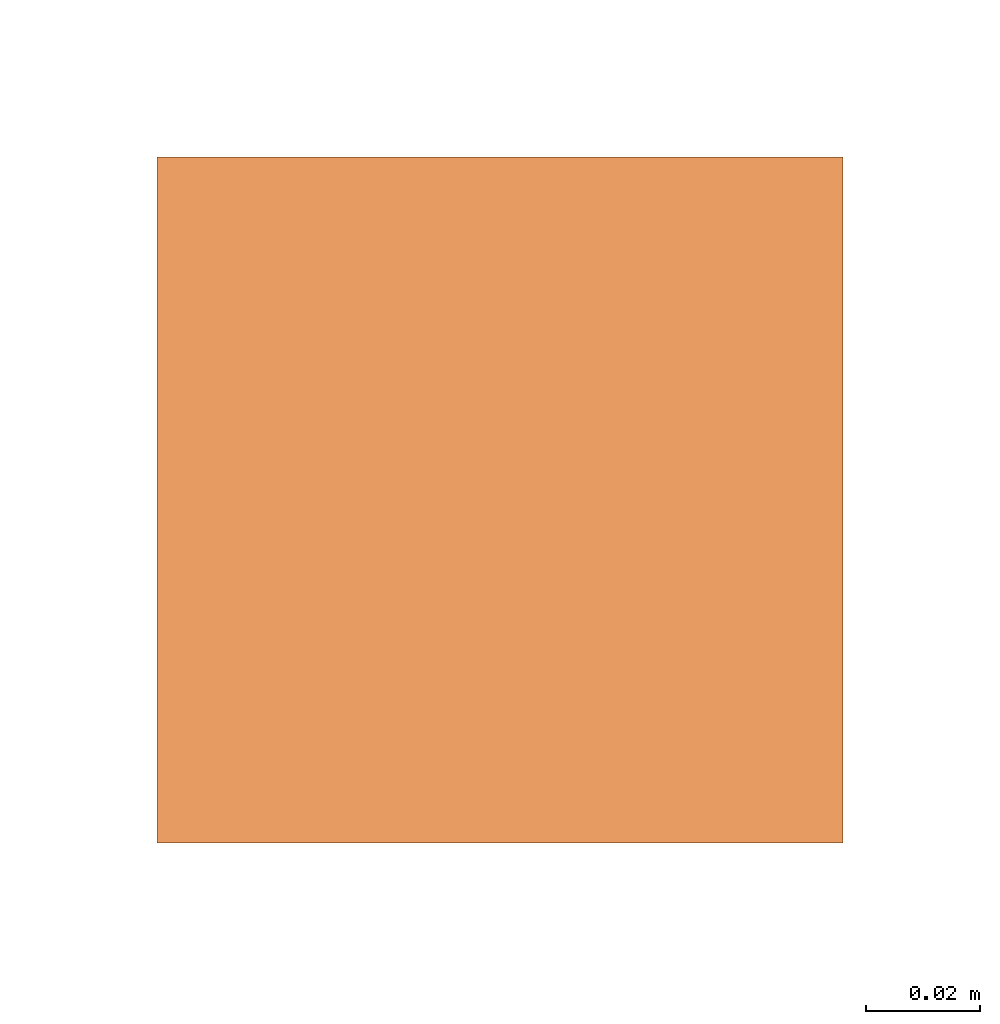
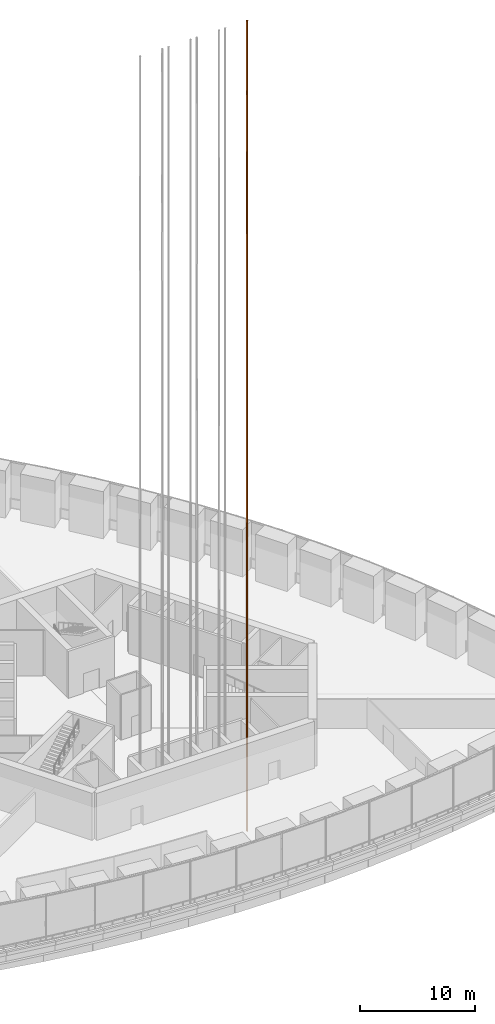
# One storey, part 33 of 33: 1 proxy.
"""IFC4 building model written with IfcOpenShell, lengths in metres."""

from ifc_helpers import new_model, si_unit, direction, frame, origin, origin_2d, place, context, subcontext, project, spatial, rectangle, extrude, element, save


model = new_model("IFC4")

# Units and contexts
model_context = context("Model", 3, precision=1e-05, world=origin(), true_north=direction((0.0, 1.0)))
body_context = subcontext(model_context, "Body", "Model", "MODEL_VIEW")
ifc_project = project(units=[si_unit("LENGTHUNIT", "METRE"), si_unit("AREAUNIT", "SQUARE_METRE"), si_unit("VOLUMEUNIT", "CUBIC_METRE"), si_unit("PLANEANGLEUNIT", "RADIAN"), si_unit("MASSUNIT", "GRAM", prefix="KILO")], contexts=[model_context])

# Site, building, storey
site_placement = place(None, origin())
site = spatial("IfcSite", under=ifc_project, at=site_placement, CompositionType="ELEMENT")
building_placement = place(site_placement, origin())
building = spatial("IfcBuilding", under=site, at=building_placement, Name="Trefoil Bronze Tower", CompositionType="ELEMENT")
storey_placement = place(building_placement, frame((0.0, 0.0, 98.10009765625)))
storey = spatial("IfcBuildingStorey", under=building, at=storey_placement, Name="L22", CompositionType="ELEMENT", Elevation=98.10009765625)

# Proxy
proxy_placement = place(storey_placement, frame((5.385009765625, -11.3125, -6.0), z_axis=(0.0, 0.0, 1.0), x_axis=(1.0, 0.0, 0.0)))
element("IfcBuildingElementProxy", 1, at=proxy_placement, inside=storey, Name="Lift P24 guide rail 2", ObjectType="LIFT GUIDE RAIL", PredefinedType="USERDEFINED", context=body_context, shape_type="SweptSolid", body=[
    extrude(rectangle(XDim=0.1201171875, YDim=0.1201171875, at=origin_2d()), origin(), (0.0, 0.0, 1.0), 86.25),
])

save(model, "model.ifc")
